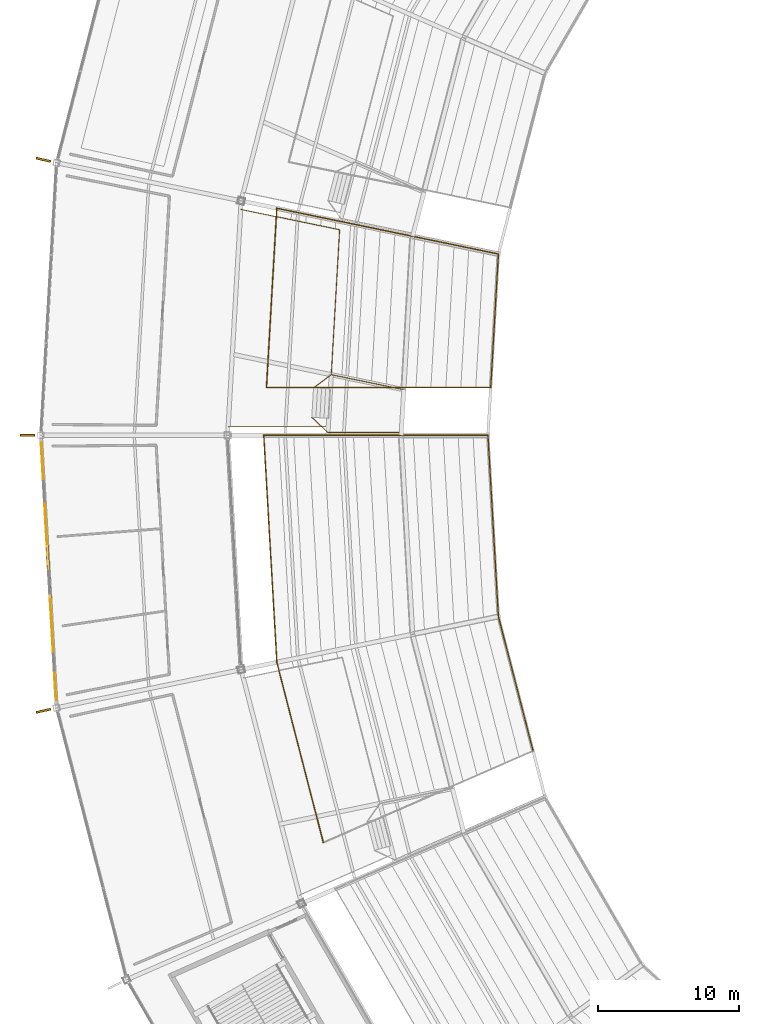
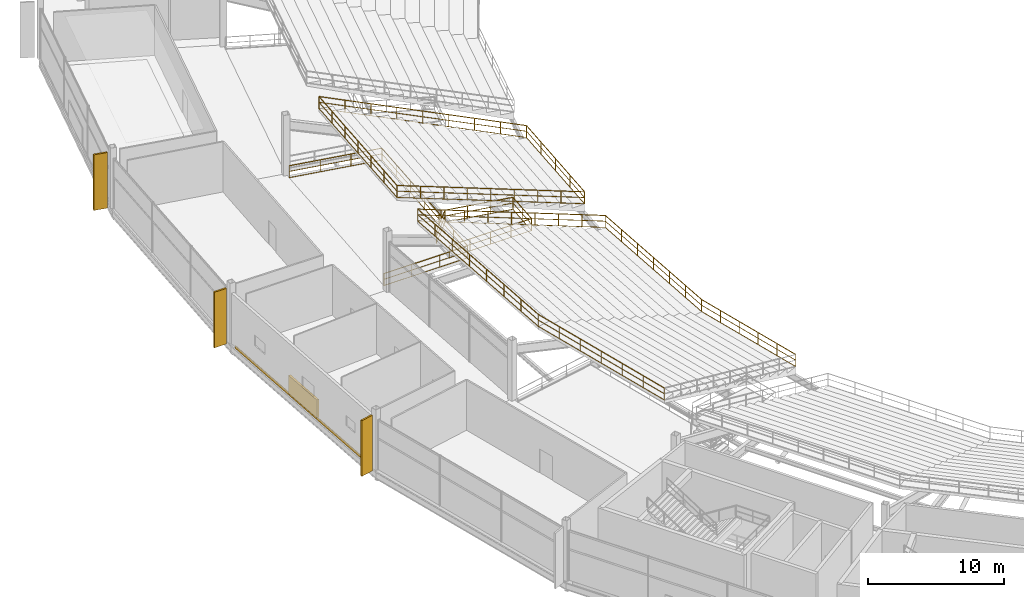
# One storey, part 174 of 186: 11 railings, 4 shading devices, 1 covering.
"""IFC4 building model written with IfcOpenShell, lengths in metres."""

from ifc_helpers import new_model, si_unit, direction, frame, origin, origin_2d, place, context, subcontext, project, spatial, rectangle, extrude, material, layer, layer_set, type_object, element, save


model = new_model("IFC4")

# Units and contexts
model_context = context("Model", 3, precision=1e-05, world=origin(), true_north=direction((0.0, 1.0)))
body_context = subcontext(model_context, "Body", "Model", "MODEL_VIEW")
ifc_project = project(units=[si_unit("LENGTHUNIT", "METRE"), si_unit("AREAUNIT", "SQUARE_METRE"), si_unit("VOLUMEUNIT", "CUBIC_METRE"), si_unit("PLANEANGLEUNIT", "RADIAN"), si_unit("MASSUNIT", "GRAM", prefix="KILO")], contexts=[model_context])

# Site, building, storey
site_placement = place(None, origin())
site = spatial("IfcSite", under=ifc_project, at=site_placement, CompositionType="ELEMENT")
building_placement = place(site_placement, origin())
building = spatial("IfcBuilding", under=site, at=building_placement, Name="Kazemori Nagisa Stadium", CompositionType="ELEMENT")
storey_placement = place(building_placement, frame((0.0, 0.0, 20.39990234375)))
storey = spatial("IfcBuildingStorey", under=building, at=storey_placement, Name="L04", CompositionType="ELEMENT", Elevation=20.39990234375)

# Covering
ifc_material_1 = material(Name="Anodised aluminium 6063-T5", Category="aluminium")
ifc_layer = layer(ifc_material_1, 0.034912109375, Name="Anodised aluminium 6063-T5", Category="aluminium")
ifc_layer_set = layer_set([ifc_layer], Name="Anodised aluminium 6063-T5")
covering_type = type_object("IfcCoveringType", Name="Covering_CLAD", PredefinedType="CLADDING", material=ifc_layer_set)
covering_placement = place(storey_placement, frame((28.5595703125, 92.30126953125, -0.259765625), z_axis=(0.0, 0.0, 1.0), x_axis=(0.057601670941, -0.998339645364, 0.0)))
element("IfcCovering", 1, at=covering_placement, inside=storey, type_object=covering_type, Name="Anodised fascia cladding L04-B15", PredefinedType="CLADDING", context=body_context, shape_type="SweptSolid", body=[
    extrude(rectangle(XDim=18.329833984375, YDim=0.0400390625, at=origin_2d()), origin(), (0.0, 0.0, 1.0), 0.260009765625),
])

# Shading devices
ifc_material_2 = material(Name="Aluminium 6063-T5 anodised", Category="aluminium")
shading_device_type_1 = type_object("IfcShadingDeviceType", Name="Fin_FN03", PredefinedType="USERDEFINED", material=ifc_material_2)
for number, where, z_axis, x_axis, name in (
    (2, (28.188232421875, 121.610107421875, 0.0), (0.0, 0.0, 1.0), (-0.974927912182, 0.222520933954, 0.0), "Aerodynamic wave shading fin L04-14"),
    (3, (27.044921875, 102.0, 0.0), (0.0, 0.0, 1.0), (-1.0, 0.0, 0.0), "Aerodynamic wave shading fin L04-15"),
    (4, (28.188232421875, 82.389892578125, 0.0), (0.0, 0.0, 1.0), (-0.974927912182, -0.222520933954, 0.0), "Aerodynamic wave shading fin L04-16"),
):
    element("IfcShadingDevice", number, at=place(storey_placement, frame(where, z_axis=z_axis, x_axis=x_axis)), inside=storey, type_object=shading_device_type_1, Name=name, ObjectType="FIN", PredefinedType="USERDEFINED", context=body_context, shape_type="SweptSolid", body=[
        extrude(rectangle(XDim=1.050048828125, YDim=0.139892578125, at=origin_2d()), origin(), (0.0, 0.0, 1.0), 5.0),
    ])
shading_device_type_2 = type_object("IfcShadingDeviceType", Name="Louvre_LV02", PredefinedType="JALOUSIE", material=ifc_material_2)
shading_device_placement = place(storey_placement, frame((28.5595703125, 92.30126953125, -0.010009765625), z_axis=(0.0, 0.0, 1.0), x_axis=(0.057601670941, -0.998339645364, 0.0)))
element("IfcShadingDevice", 5, at=shading_device_placement, inside=storey, type_object=shading_device_type_2, Name="Concourse ventilation louvre L04-B15", PredefinedType="JALOUSIE", context=body_context, shape_type="SweptSolid", body=[
    extrude(rectangle(XDim=3.800048828125, YDim=0.179931640625, at=origin_2d()), origin(), (0.0, 0.0, 1.0), 1.60009765625),
])

# Railings
ifc_material_3 = material(Name="Laminated safety glass and stainless steel SUS304", Category="steel")
railing_type_1 = type_object("IfcRailingType", Name="Rail_BAL", PredefinedType="BALUSTRADE", material=ifc_material_3)
railing_1_placement = place(storey_placement, frame((42.22802734375, 118.0830078125, 0.0)))
element("IfcRailing", 6, at=railing_1_placement, inside=storey, type_object=railing_type_1, Name="Upper vomitory lobby balustrade B14", PredefinedType="BALUSTRADE", context=body_context, shape_type="SweptSolid", body=[
    extrude(rectangle(XDim=0.050048828125, YDim=0.050048828125, at=origin_2d()), frame((0.0, 0.0, 1.09521484375), z_axis=(0.979313585997, -0.202348462516, 0.0), x_axis=(0.202348462516, 0.979313585997, 0.0)), (0.0, 0.0, 1.0), 7.189697265625),
    extrude(rectangle(XDim=0.03759765625, YDim=0.03759765625, at=origin_2d()), frame((0.0, 0.0, 0.58251953125), z_axis=(0.979313585997, -0.202348462516, 0.0), x_axis=(0.202348462516, 0.979313585997, 0.0)), (0.0, 0.0, 1.0), 7.189697265625),
    extrude(rectangle(XDim=0.03759765625, YDim=0.03759765625, at=origin_2d()), frame((0.0, 0.0, 0.02490234375), z_axis=(0.979313585997, -0.202348462516, 0.0), x_axis=(0.202348462516, 0.979313585997, 0.0)), (0.0, 0.0, 1.0), 7.189697265625),
    extrude(rectangle(XDim=0.050048828125, YDim=0.050048828125, at=origin_2d()), frame((7.041015625, -1.454833984375, 1.09521484375), z_axis=(-0.057610854061, -0.998339115478, 0.0), x_axis=(0.998339115478, -0.057610854061, 0.0)), (0.0, 0.0, 1.0), 14.052490234375),
    extrude(rectangle(XDim=0.03759765625, YDim=0.03759765625, at=origin_2d()), frame((7.041015625, -1.454833984375, 0.58251953125), z_axis=(-0.057610854061, -0.998339115478, 0.0), x_axis=(0.998339115478, -0.057610854061, 0.0)), (0.0, 0.0, 1.0), 14.052490234375),
    extrude(rectangle(XDim=0.03759765625, YDim=0.03759765625, at=origin_2d()), frame((7.041015625, -1.454833984375, 0.02490234375), z_axis=(-0.057610854061, -0.998339115478, 0.0), x_axis=(0.998339115478, -0.057610854061, 0.0)), (0.0, 0.0, 1.0), 14.052490234375),
    extrude(rectangle(XDim=0.050048828125, YDim=0.050048828125, at=origin_2d()), frame((6.2314453125, -15.48388671875, 1.09521484375), z_axis=(-1.0, 0.0, 0.0), x_axis=(0.0, -1.0, 0.0)), (0.0, 0.0, 1.0), 7.125),
    extrude(rectangle(XDim=0.03759765625, YDim=0.03759765625, at=origin_2d()), frame((6.2314453125, -15.48388671875, 0.58251953125), z_axis=(-1.0, 0.0, 0.0), x_axis=(0.0, -1.0, 0.0)), (0.0, 0.0, 1.0), 7.125),
    extrude(rectangle(XDim=0.03759765625, YDim=0.03759765625, at=origin_2d()), frame((6.2314453125, -15.48388671875, 0.02490234375), z_axis=(-1.0, 0.0, 0.0), x_axis=(0.0, -1.0, 0.0)), (0.0, 0.0, 1.0), 7.125),
    extrude(rectangle(XDim=0.044921875, YDim=0.044921875, at=origin_2d()), origin(), (0.0, 0.0, 1.0), 1.070068359375),
    extrude(rectangle(XDim=0.044921875, YDim=0.044921875, at=origin_2d()), frame((2.346923828125, -0.48486328125, 0.0)), (0.0, 0.0, 1.0), 1.070068359375),
    extrude(rectangle(XDim=0.044921875, YDim=0.044921875, at=origin_2d()), frame((4.694091796875, -0.969970703125, 0.0)), (0.0, 0.0, 1.0), 1.070068359375),
    extrude(rectangle(XDim=0.044921875, YDim=0.044921875, at=origin_2d()), frame((7.041015625, -1.454833984375, 0.0)), (0.0, 0.0, 1.0), 1.070068359375),
    extrude(rectangle(XDim=0.044921875, YDim=0.044921875, at=origin_2d()), frame((6.906005859375, -3.79296875, 0.0)), (0.0, 0.0, 1.0), 1.070068359375),
    extrude(rectangle(XDim=0.044921875, YDim=0.044921875, at=origin_2d()), frame((6.771240234375, -6.131103515625, 0.0)), (0.0, 0.0, 1.0), 1.070068359375),
    extrude(rectangle(XDim=0.044921875, YDim=0.044921875, at=origin_2d()), frame((6.63623046875, -8.46923828125, 0.0)), (0.0, 0.0, 1.0), 1.070068359375),
    extrude(rectangle(XDim=0.044921875, YDim=0.044921875, at=origin_2d()), frame((6.501220703125, -10.8076171875, 0.0)), (0.0, 0.0, 1.0), 1.070068359375),
    extrude(rectangle(XDim=0.044921875, YDim=0.044921875, at=origin_2d()), frame((6.366455078125, -13.145751953125, 0.0)), (0.0, 0.0, 1.0), 1.070068359375),
    extrude(rectangle(XDim=0.044921875, YDim=0.044921875, at=origin_2d()), frame((6.2314453125, -15.48388671875, 0.0)), (0.0, 0.0, 1.0), 1.070068359375),
    extrude(rectangle(XDim=0.044921875, YDim=0.044921875, at=origin_2d()), frame((3.8564453125, -15.48388671875, 0.0)), (0.0, 0.0, 1.0), 1.070068359375),
    extrude(rectangle(XDim=0.044921875, YDim=0.044921875, at=origin_2d()), frame((1.4814453125, -15.48388671875, 0.0)), (0.0, 0.0, 1.0), 1.070068359375),
    extrude(rectangle(XDim=0.044921875, YDim=0.044921875, at=origin_2d()), frame((-0.8935546875, -15.48388671875, 0.0)), (0.0, 0.0, 1.0), 1.070068359375),
])
ifc_material_4 = material(Name="Galvanised powder-coated steel", Category="steel")
railing_type_2 = type_object("IfcRailingType", Name="Rail_GUARD", PredefinedType="GUARDRAIL", material=ifc_material_4)
railing_2_placement = place(storey_placement, frame((47.40771484375, 105.37353515625, 0.0)))
element("IfcRailing", 7, at=railing_2_placement, inside=storey, type_object=railing_type_2, Name="Vomitory upper portal guard VU06", PredefinedType="GUARDRAIL", context=body_context, shape_type="SweptSolid", body=[
    extrude(rectangle(XDim=0.050048828125, YDim=0.050048828125, at=origin_2d()), frame((0.0, 0.0, 1.09521484375), z_axis=(0.701505582617, 0.519703904438, 0.487645126366), x_axis=(-0.595279424775, 0.803518765456, 0.0)), (0.0, 0.0, 1.0), 1.804931640625),
    extrude(rectangle(XDim=0.03759765625, YDim=0.03759765625, at=origin_2d()), frame((0.0, 0.0, 0.58251953125), z_axis=(0.701505582617, 0.519703904438, 0.487645126366), x_axis=(-0.595279424775, 0.803518765456, 0.0)), (0.0, 0.0, 1.0), 1.804931640625),
    extrude(rectangle(XDim=0.03759765625, YDim=0.03759765625, at=origin_2d()), frame((0.0, 0.0, 0.02490234375), z_axis=(0.701505582617, 0.519703904438, 0.487645126366), x_axis=(-0.595279424775, 0.803518765456, 0.0)), (0.0, 0.0, 1.0), 1.804931640625),
    extrude(rectangle(XDim=0.050048828125, YDim=0.050048828125, at=origin_2d()), frame((1.26611328125, 0.93798828125, 1.97509765625), z_axis=(0.979312342256, -0.202354481803, 0.0), x_axis=(0.202354481803, 0.979312342256, 0.0)), (0.0, 0.0, 1.0), 5.2724609375),
    extrude(rectangle(XDim=0.03759765625, YDim=0.03759765625, at=origin_2d()), frame((1.26611328125, 0.93798828125, 1.462646484375), z_axis=(0.979312342256, -0.202354481803, 0.0), x_axis=(0.202354481803, 0.979312342256, 0.0)), (0.0, 0.0, 1.0), 5.2724609375),
    extrude(rectangle(XDim=0.03759765625, YDim=0.03759765625, at=origin_2d()), frame((1.26611328125, 0.93798828125, 0.9052734375), z_axis=(0.979312342256, -0.202354481803, 0.0), x_axis=(0.202354481803, 0.979312342256, 0.0)), (0.0, 0.0, 1.0), 5.2724609375),
    extrude(rectangle(XDim=0.050048828125, YDim=0.050048828125, at=origin_2d()), frame((6.429443359375, -0.12890625, 1.97509765625), z_axis=(-0.05755357596, -0.99834241916, 0.0), x_axis=(0.99834241916, -0.05755357596, 0.0)), (0.0, 0.0, 1.0), 3.050048828125),
    extrude(rectangle(XDim=0.03759765625, YDim=0.03759765625, at=origin_2d()), frame((6.429443359375, -0.12890625, 1.462646484375), z_axis=(-0.05755357596, -0.99834241916, 0.0), x_axis=(0.99834241916, -0.05755357596, 0.0)), (0.0, 0.0, 1.0), 3.050048828125),
    extrude(rectangle(XDim=0.03759765625, YDim=0.03759765625, at=origin_2d()), frame((6.429443359375, -0.12890625, 0.9052734375), z_axis=(-0.05755357596, -0.99834241916, 0.0), x_axis=(0.99834241916, -0.05755357596, 0.0)), (0.0, 0.0, 1.0), 3.050048828125),
    extrude(rectangle(XDim=0.050048828125, YDim=0.050048828125, at=origin_2d()), frame((6.25390625, -3.173828125, 1.97509765625), z_axis=(-1.0, 0.0, 0.0), x_axis=(0.0, -1.0, 0.0)), (0.0, 0.0, 1.0), 5.22509765625),
    extrude(rectangle(XDim=0.03759765625, YDim=0.03759765625, at=origin_2d()), frame((6.25390625, -3.173828125, 1.462646484375), z_axis=(-1.0, 0.0, 0.0), x_axis=(0.0, -1.0, 0.0)), (0.0, 0.0, 1.0), 5.22509765625),
    extrude(rectangle(XDim=0.03759765625, YDim=0.03759765625, at=origin_2d()), frame((6.25390625, -3.173828125, 0.9052734375), z_axis=(-1.0, 0.0, 0.0), x_axis=(0.0, -1.0, 0.0)), (0.0, 0.0, 1.0), 5.22509765625),
    extrude(rectangle(XDim=0.050048828125, YDim=0.050048828125, at=origin_2d()), frame((1.02880859375, -3.173828125, 1.97509765625), z_axis=(-0.637099366978, 0.596925585239, -0.487631256466), x_axis=(-0.683724641843, -0.729740100403, 0.0)), (0.0, 0.0, 1.0), 1.804931640625),
    extrude(rectangle(XDim=0.03759765625, YDim=0.03759765625, at=origin_2d()), frame((1.02880859375, -3.173828125, 1.462646484375), z_axis=(-0.637099366978, 0.596925585239, -0.487631256466), x_axis=(-0.683724641843, -0.729740100403, 0.0)), (0.0, 0.0, 1.0), 1.804931640625),
    extrude(rectangle(XDim=0.03759765625, YDim=0.03759765625, at=origin_2d()), frame((1.02880859375, -3.173828125, 0.9052734375), z_axis=(-0.637099366978, 0.596925585239, -0.487631256466), x_axis=(-0.683724641843, -0.729740100403, 0.0)), (0.0, 0.0, 1.0), 1.804931640625),
    extrude(rectangle(XDim=0.044921875, YDim=0.044921875, at=origin_2d()), origin(), (0.0, 0.0, 1.0), 1.070068359375),
    extrude(rectangle(XDim=0.044921875, YDim=0.044921875, at=origin_2d()), frame((1.26611328125, 0.93798828125, 0.880126953125)), (0.0, 0.0, 1.0), 1.070068359375),
    extrude(rectangle(XDim=0.044921875, YDim=0.044921875, at=origin_2d()), frame((2.9873046875, 0.582275390625, 0.880126953125)), (0.0, 0.0, 1.0), 1.070068359375),
    extrude(rectangle(XDim=0.044921875, YDim=0.044921875, at=origin_2d()), frame((4.708251953125, 0.226806640625, 0.880126953125)), (0.0, 0.0, 1.0), 1.070068359375),
    extrude(rectangle(XDim=0.044921875, YDim=0.044921875, at=origin_2d()), frame((6.429443359375, -0.12890625, 0.880126953125)), (0.0, 0.0, 1.0), 1.070068359375),
    extrude(rectangle(XDim=0.044921875, YDim=0.044921875, at=origin_2d()), frame((6.341796875, -1.6513671875, 0.880126953125)), (0.0, 0.0, 1.0), 1.070068359375),
    extrude(rectangle(XDim=0.044921875, YDim=0.044921875, at=origin_2d()), frame((6.25390625, -3.173828125, 0.880126953125)), (0.0, 0.0, 1.0), 1.070068359375),
    extrude(rectangle(XDim=0.044921875, YDim=0.044921875, at=origin_2d()), frame((4.51220703125, -3.173828125, 0.880126953125)), (0.0, 0.0, 1.0), 1.070068359375),
    extrude(rectangle(XDim=0.044921875, YDim=0.044921875, at=origin_2d()), frame((2.7705078125, -3.173828125, 0.880126953125)), (0.0, 0.0, 1.0), 1.070068359375),
    extrude(rectangle(XDim=0.044921875, YDim=0.044921875, at=origin_2d()), frame((1.02880859375, -3.173828125, 0.880126953125)), (0.0, 0.0, 1.0), 1.070068359375),
    extrude(rectangle(XDim=0.044921875, YDim=0.044921875, at=origin_2d()), frame((-0.12109375, -2.096435546875, 0.0)), (0.0, 0.0, 1.0), 1.070068359375),
])
railing_3_placement = place(storey_placement, frame((60.5693359375, 114.8994140625, -0.8798828125)))
element("IfcRailing", 8, at=railing_3_placement, inside=storey, type_object=railing_type_2, Name="Upper tier front crowd barrier B14", PredefinedType="GUARDRAIL", context=body_context, shape_type="SweptSolid", body=[
    extrude(rectangle(XDim=0.050048828125, YDim=0.050048828125, at=origin_2d()), frame((0.0, 0.0, 1.09521484375), z_axis=(-0.057618652076, -0.99833866545, 0.0), x_axis=(0.99833866545, -0.057618652076, 0.0)), (0.0, 0.0, 1.0), 9.52099609375),
    extrude(rectangle(XDim=0.03759765625, YDim=0.03759765625, at=origin_2d()), frame((0.0, 0.0, 0.58251953125), z_axis=(-0.057618652076, -0.99833866545, 0.0), x_axis=(0.99833866545, -0.057618652076, 0.0)), (0.0, 0.0, 1.0), 9.52099609375),
    extrude(rectangle(XDim=0.03759765625, YDim=0.03759765625, at=origin_2d()), frame((0.0, 0.0, 0.02490234375), z_axis=(-0.057618652076, -0.99833866545, 0.0), x_axis=(0.99833866545, -0.057618652076, 0.0)), (0.0, 0.0, 1.0), 9.52099609375),
    extrude(rectangle(XDim=0.044921875, YDim=0.044921875, at=origin_2d()), origin(), (0.0, 0.0, 1.0), 1.070068359375),
    extrude(rectangle(XDim=0.044921875, YDim=0.044921875, at=origin_2d()), frame((-0.13720703125, -2.376220703125, 0.0)), (0.0, 0.0, 1.0), 1.070068359375),
    extrude(rectangle(XDim=0.044921875, YDim=0.044921875, at=origin_2d()), frame((-0.2744140625, -4.75244140625, 0.0)), (0.0, 0.0, 1.0), 1.070068359375),
    extrude(rectangle(XDim=0.044921875, YDim=0.044921875, at=origin_2d()), frame((-0.411376953125, -7.12890625, 0.0)), (0.0, 0.0, 1.0), 1.070068359375),
    extrude(rectangle(XDim=0.044921875, YDim=0.044921875, at=origin_2d()), frame((-0.548583984375, -9.505126953125, 0.0)), (0.0, 0.0, 1.0), 1.070068359375),
])
railing_4_placement = place(storey_placement, frame((44.79736328125, 118.158203125, 5.280029296875)))
element("IfcRailing", 9, at=railing_4_placement, inside=storey, type_object=railing_type_2, Name="Upper tier rear guard B14", PredefinedType="GUARDRAIL", context=body_context, shape_type="SweptSolid", body=[
    extrude(rectangle(XDim=0.050048828125, YDim=0.050048828125, at=origin_2d()), frame((0.0, 0.0, 1.09521484375), z_axis=(-0.05761154132, -0.998339075819, 0.0), x_axis=(0.998339075819, -0.05761154132, 0.0)), (0.0, 0.0, 1.0), 12.78515625),
    extrude(rectangle(XDim=0.03759765625, YDim=0.03759765625, at=origin_2d()), frame((0.0, 0.0, 0.58251953125), z_axis=(-0.05761154132, -0.998339075819, 0.0), x_axis=(0.998339075819, -0.05761154132, 0.0)), (0.0, 0.0, 1.0), 12.78515625),
    extrude(rectangle(XDim=0.03759765625, YDim=0.03759765625, at=origin_2d()), frame((0.0, 0.0, 0.02490234375), z_axis=(-0.05761154132, -0.998339075819, 0.0), x_axis=(0.998339075819, -0.05761154132, 0.0)), (0.0, 0.0, 1.0), 12.78515625),
    extrude(rectangle(XDim=0.044921875, YDim=0.044921875, at=origin_2d()), origin(), (0.0, 0.0, 1.0), 1.070068359375),
    extrude(rectangle(XDim=0.044921875, YDim=0.044921875, at=origin_2d()), frame((-0.122802734375, -2.12744140625, 0.0)), (0.0, 0.0, 1.0), 1.070068359375),
    extrude(rectangle(XDim=0.044921875, YDim=0.044921875, at=origin_2d()), frame((-0.24560546875, -4.254638671875, 0.0)), (0.0, 0.0, 1.0), 1.070068359375),
    extrude(rectangle(XDim=0.044921875, YDim=0.044921875, at=origin_2d()), frame((-0.3681640625, -6.3818359375, 0.0)), (0.0, 0.0, 1.0), 1.070068359375),
    extrude(rectangle(XDim=0.044921875, YDim=0.044921875, at=origin_2d()), frame((-0.490966796875, -8.50927734375, 0.0)), (0.0, 0.0, 1.0), 1.070068359375),
    extrude(rectangle(XDim=0.044921875, YDim=0.044921875, at=origin_2d()), frame((-0.61376953125, -10.63671875, 0.0)), (0.0, 0.0, 1.0), 1.070068359375),
    extrude(rectangle(XDim=0.044921875, YDim=0.044921875, at=origin_2d()), frame((-0.736572265625, -12.763916015625, 0.0)), (0.0, 0.0, 1.0), 1.070068359375),
])
railing_5_placement = place(storey_placement, frame((60.020751953125, 105.394287109375, -0.8798828125)))
element("IfcRailing", 10, at=railing_5_placement, inside=storey, type_object=railing_type_2, Name="Upper tier radial step guard B14R", PredefinedType="GUARDRAIL", context=body_context, shape_type="SweptSolid", body=[
    extrude(rectangle(XDim=0.050048828125, YDim=0.050048828125, at=origin_2d()), frame((0.0, 0.0, 1.09521484375), z_axis=(-0.932924559812, 0.0, 0.360071889626), x_axis=(0.0, -1.0, 0.0)), (0.0, 0.0, 1.0), 17.107421875),
    extrude(rectangle(XDim=0.03759765625, YDim=0.03759765625, at=origin_2d()), frame((0.0, 0.0, 0.58251953125), z_axis=(-0.932924559812, 0.0, 0.360071889626), x_axis=(0.0, -1.0, 0.0)), (0.0, 0.0, 1.0), 17.107421875),
    extrude(rectangle(XDim=0.03759765625, YDim=0.03759765625, at=origin_2d()), frame((0.0, 0.0, 0.02490234375), z_axis=(-0.932924559812, 0.0, 0.360071889626), x_axis=(0.0, -1.0, 0.0)), (0.0, 0.0, 1.0), 17.107421875),
    extrude(rectangle(XDim=0.044921875, YDim=0.044921875, at=origin_2d()), origin(), (0.0, 0.0, 1.0), 1.070068359375),
    extrude(rectangle(XDim=0.044921875, YDim=0.044921875, at=origin_2d()), frame((-1.9951171875, 0.0, 0.77001953125)), (0.0, 0.0, 1.0), 1.070068359375),
    extrude(rectangle(XDim=0.044921875, YDim=0.044921875, at=origin_2d()), frame((-3.989990234375, 0.0, 1.5400390625)), (0.0, 0.0, 1.0), 1.070068359375),
    extrude(rectangle(XDim=0.044921875, YDim=0.044921875, at=origin_2d()), frame((-5.98486328125, 0.0, 2.31005859375)), (0.0, 0.0, 1.0), 1.070068359375),
    extrude(rectangle(XDim=0.044921875, YDim=0.044921875, at=origin_2d()), frame((-7.97998046875, 0.0, 3.080078125)), (0.0, 0.0, 1.0), 1.070068359375),
    extrude(rectangle(XDim=0.044921875, YDim=0.044921875, at=origin_2d()), frame((-9.97509765625, 0.0, 3.849853515625)), (0.0, 0.0, 1.0), 1.070068359375),
    extrude(rectangle(XDim=0.044921875, YDim=0.044921875, at=origin_2d()), frame((-11.969970703125, 0.0, 4.619873046875)), (0.0, 0.0, 1.0), 1.070068359375),
    extrude(rectangle(XDim=0.044921875, YDim=0.044921875, at=origin_2d()), frame((-13.96484375, 0.0, 5.389892578125)), (0.0, 0.0, 1.0), 1.070068359375),
    extrude(rectangle(XDim=0.044921875, YDim=0.044921875, at=origin_2d()), frame((-15.9599609375, 0.0, 6.159912109375)), (0.0, 0.0, 1.0), 1.070068359375),
])
railing_6_placement = place(storey_placement, frame((60.5693359375, 114.8994140625, -0.8798828125)))
element("IfcRailing", 11, at=railing_6_placement, inside=storey, type_object=railing_type_2, Name="Upper tier radial step guard B14L", PredefinedType="GUARDRAIL", context=body_context, shape_type="SweptSolid", body=[
    extrude(rectangle(XDim=0.050048828125, YDim=0.050048828125, at=origin_2d()), frame((0.0, 0.0, 1.09521484375), z_axis=(-0.914691054761, 0.18899254201, 0.35724234548), x_axis=(-0.20234493476, -0.979314314905, 0.0)), (0.0, 0.0, 1.0), 17.242919921875),
    extrude(rectangle(XDim=0.03759765625, YDim=0.03759765625, at=origin_2d()), frame((0.0, 0.0, 0.58251953125), z_axis=(-0.914691054761, 0.18899254201, 0.35724234548), x_axis=(-0.20234493476, -0.979314314905, 0.0)), (0.0, 0.0, 1.0), 17.242919921875),
    extrude(rectangle(XDim=0.03759765625, YDim=0.03759765625, at=origin_2d()), frame((0.0, 0.0, 0.02490234375), z_axis=(-0.914691054761, 0.18899254201, 0.35724234548), x_axis=(-0.20234493476, -0.979314314905, 0.0)), (0.0, 0.0, 1.0), 17.242919921875),
    extrude(rectangle(XDim=0.044921875, YDim=0.044921875, at=origin_2d()), origin(), (0.0, 0.0, 1.0), 1.070068359375),
    extrude(rectangle(XDim=0.044921875, YDim=0.044921875, at=origin_2d()), frame((-1.971435546875, 0.4072265625, 0.77001953125)), (0.0, 0.0, 1.0), 1.070068359375),
    extrude(rectangle(XDim=0.044921875, YDim=0.044921875, at=origin_2d()), frame((-3.94287109375, 0.814697265625, 1.5400390625)), (0.0, 0.0, 1.0), 1.070068359375),
    extrude(rectangle(XDim=0.044921875, YDim=0.044921875, at=origin_2d()), frame((-5.91455078125, 1.22216796875, 2.31005859375)), (0.0, 0.0, 1.0), 1.070068359375),
    extrude(rectangle(XDim=0.044921875, YDim=0.044921875, at=origin_2d()), frame((-7.885986328125, 1.62939453125, 3.080078125)), (0.0, 0.0, 1.0), 1.070068359375),
    extrude(rectangle(XDim=0.044921875, YDim=0.044921875, at=origin_2d()), frame((-9.857421875, 2.03662109375, 3.849853515625)), (0.0, 0.0, 1.0), 1.070068359375),
    extrude(rectangle(XDim=0.044921875, YDim=0.044921875, at=origin_2d()), frame((-11.8291015625, 2.444091796875, 4.619873046875)), (0.0, 0.0, 1.0), 1.070068359375),
    extrude(rectangle(XDim=0.044921875, YDim=0.044921875, at=origin_2d()), frame((-13.800537109375, 2.8515625, 5.389892578125)), (0.0, 0.0, 1.0), 1.070068359375),
    extrude(rectangle(XDim=0.044921875, YDim=0.044921875, at=origin_2d()), frame((-15.77197265625, 3.2587890625, 6.159912109375)), (0.0, 0.0, 1.0), 1.070068359375),
])
railing_7_placement = place(storey_placement, frame((59.824951171875, 102.0, -0.8798828125)))
element("IfcRailing", 12, at=railing_7_placement, inside=storey, type_object=railing_type_2, Name="Upper tier front crowd barrier B15", PredefinedType="GUARDRAIL", context=body_context, shape_type="SweptSolid", body=[
    extrude(rectangle(XDim=0.050048828125, YDim=0.050048828125, at=origin_2d()), frame((0.0, 0.0, 1.09521484375), z_axis=(0.057611021531, -0.998339105814, 0.0), x_axis=(0.998339105814, 0.057611021531, 0.0)), (0.0, 0.0, 1.0), 12.9208984375),
    extrude(rectangle(XDim=0.03759765625, YDim=0.03759765625, at=origin_2d()), frame((0.0, 0.0, 0.58251953125), z_axis=(0.057611021531, -0.998339105814, 0.0), x_axis=(0.998339105814, 0.057611021531, 0.0)), (0.0, 0.0, 1.0), 12.9208984375),
    extrude(rectangle(XDim=0.03759765625, YDim=0.03759765625, at=origin_2d()), frame((0.0, 0.0, 0.02490234375), z_axis=(0.057611021531, -0.998339105814, 0.0), x_axis=(0.998339105814, 0.057611021531, 0.0)), (0.0, 0.0, 1.0), 12.9208984375),
    extrude(rectangle(XDim=0.044921875, YDim=0.044921875, at=origin_2d()), origin(), (0.0, 0.0, 1.0), 1.070068359375),
    extrude(rectangle(XDim=0.044921875, YDim=0.044921875, at=origin_2d()), frame((0.1240234375, -2.14990234375, 0.0)), (0.0, 0.0, 1.0), 1.070068359375),
    extrude(rectangle(XDim=0.044921875, YDim=0.044921875, at=origin_2d()), frame((0.248046875, -4.2998046875, 0.0)), (0.0, 0.0, 1.0), 1.070068359375),
    extrude(rectangle(XDim=0.044921875, YDim=0.044921875, at=origin_2d()), frame((0.3720703125, -6.44970703125, 0.0)), (0.0, 0.0, 1.0), 1.070068359375),
    extrude(rectangle(XDim=0.044921875, YDim=0.044921875, at=origin_2d()), frame((0.496337890625, -8.599609375, 0.0)), (0.0, 0.0, 1.0), 1.070068359375),
    extrude(rectangle(XDim=0.044921875, YDim=0.044921875, at=origin_2d()), frame((0.620361328125, -10.74951171875, 0.0)), (0.0, 0.0, 1.0), 1.070068359375),
    extrude(rectangle(XDim=0.044921875, YDim=0.044921875, at=origin_2d()), frame((0.744384765625, -12.8994140625, 0.0)), (0.0, 0.0, 1.0), 1.070068359375),
])
railing_8_placement = place(storey_placement, frame((43.864990234375, 102.0, 5.280029296875)))
element("IfcRailing", 13, at=railing_8_placement, inside=storey, type_object=railing_type_2, Name="Upper tier rear guard B15", PredefinedType="GUARDRAIL", context=body_context, shape_type="SweptSolid", body=[
    extrude(rectangle(XDim=0.050048828125, YDim=0.050048828125, at=origin_2d()), frame((0.0, 0.0, 1.09521484375), z_axis=(0.057606943428, -0.998339341141, 0.0), x_axis=(0.998339341141, 0.057606943428, 0.0)), (0.0, 0.0, 1.0), 16.18505859375),
    extrude(rectangle(XDim=0.03759765625, YDim=0.03759765625, at=origin_2d()), frame((0.0, 0.0, 0.58251953125), z_axis=(0.057606943428, -0.998339341141, 0.0), x_axis=(0.998339341141, 0.057606943428, 0.0)), (0.0, 0.0, 1.0), 16.18505859375),
    extrude(rectangle(XDim=0.03759765625, YDim=0.03759765625, at=origin_2d()), frame((0.0, 0.0, 0.02490234375), z_axis=(0.057606943428, -0.998339341141, 0.0), x_axis=(0.998339341141, 0.057606943428, 0.0)), (0.0, 0.0, 1.0), 16.18505859375),
    extrude(rectangle(XDim=0.044921875, YDim=0.044921875, at=origin_2d()), origin(), (0.0, 0.0, 1.0), 1.070068359375),
    extrude(rectangle(XDim=0.044921875, YDim=0.044921875, at=origin_2d()), frame((0.13330078125, -2.308349609375, 0.0)), (0.0, 0.0, 1.0), 1.070068359375),
    extrude(rectangle(XDim=0.044921875, YDim=0.044921875, at=origin_2d()), frame((0.266357421875, -4.61669921875, 0.0)), (0.0, 0.0, 1.0), 1.070068359375),
    extrude(rectangle(XDim=0.044921875, YDim=0.044921875, at=origin_2d()), frame((0.399658203125, -6.925048828125, 0.0)), (0.0, 0.0, 1.0), 1.070068359375),
    extrude(rectangle(XDim=0.044921875, YDim=0.044921875, at=origin_2d()), frame((0.53271484375, -9.233154296875, 0.0)), (0.0, 0.0, 1.0), 1.070068359375),
    extrude(rectangle(XDim=0.044921875, YDim=0.044921875, at=origin_2d()), frame((0.666015625, -11.54150390625, 0.0)), (0.0, 0.0, 1.0), 1.070068359375),
    extrude(rectangle(XDim=0.044921875, YDim=0.044921875, at=origin_2d()), frame((0.799072265625, -13.849853515625, 0.0)), (0.0, 0.0, 1.0), 1.070068359375),
    extrude(rectangle(XDim=0.044921875, YDim=0.044921875, at=origin_2d()), frame((0.932373046875, -16.158203125, 0.0)), (0.0, 0.0, 1.0), 1.070068359375),
])
railing_9_placement = place(storey_placement, frame((59.824951171875, 102.0, -0.8798828125)))
element("IfcRailing", 14, at=railing_9_placement, inside=storey, type_object=railing_type_2, Name="Upper tier radial step guard B15L", PredefinedType="GUARDRAIL", context=body_context, shape_type="SweptSolid", body=[
    extrude(rectangle(XDim=0.050048828125, YDim=0.050048828125, at=origin_2d()), frame((0.0, 0.0, 1.09521484375), z_axis=(-0.932924559812, 0.0, 0.360071889626), x_axis=(0.0, -1.0, 0.0)), (0.0, 0.0, 1.0), 17.107421875),
    extrude(rectangle(XDim=0.03759765625, YDim=0.03759765625, at=origin_2d()), frame((0.0, 0.0, 0.58251953125), z_axis=(-0.932924559812, 0.0, 0.360071889626), x_axis=(0.0, -1.0, 0.0)), (0.0, 0.0, 1.0), 17.107421875),
    extrude(rectangle(XDim=0.03759765625, YDim=0.03759765625, at=origin_2d()), frame((0.0, 0.0, 0.02490234375), z_axis=(-0.932924559812, 0.0, 0.360071889626), x_axis=(0.0, -1.0, 0.0)), (0.0, 0.0, 1.0), 17.107421875),
    extrude(rectangle(XDim=0.044921875, YDim=0.044921875, at=origin_2d()), origin(), (0.0, 0.0, 1.0), 1.070068359375),
    extrude(rectangle(XDim=0.044921875, YDim=0.044921875, at=origin_2d()), frame((-1.9951171875, 0.0, 0.77001953125)), (0.0, 0.0, 1.0), 1.070068359375),
    extrude(rectangle(XDim=0.044921875, YDim=0.044921875, at=origin_2d()), frame((-3.989990234375, 0.0, 1.5400390625)), (0.0, 0.0, 1.0), 1.070068359375),
    extrude(rectangle(XDim=0.044921875, YDim=0.044921875, at=origin_2d()), frame((-5.98486328125, 0.0, 2.31005859375)), (0.0, 0.0, 1.0), 1.070068359375),
    extrude(rectangle(XDim=0.044921875, YDim=0.044921875, at=origin_2d()), frame((-7.97998046875, 0.0, 3.080078125)), (0.0, 0.0, 1.0), 1.070068359375),
    extrude(rectangle(XDim=0.044921875, YDim=0.044921875, at=origin_2d()), frame((-9.97509765625, 0.0, 3.849853515625)), (0.0, 0.0, 1.0), 1.070068359375),
    extrude(rectangle(XDim=0.044921875, YDim=0.044921875, at=origin_2d()), frame((-11.969970703125, 0.0, 4.619873046875)), (0.0, 0.0, 1.0), 1.070068359375),
    extrude(rectangle(XDim=0.044921875, YDim=0.044921875, at=origin_2d()), frame((-13.96484375, 0.0, 5.389892578125)), (0.0, 0.0, 1.0), 1.070068359375),
    extrude(rectangle(XDim=0.044921875, YDim=0.044921875, at=origin_2d()), frame((-15.9599609375, 0.0, 6.159912109375)), (0.0, 0.0, 1.0), 1.070068359375),
])
railing_10_placement = place(storey_placement, frame((60.5693359375, 89.1005859375, -0.8798828125)))
element("IfcRailing", 15, at=railing_10_placement, inside=storey, type_object=railing_type_2, Name="Upper tier front crowd barrier B16", PredefinedType="GUARDRAIL", context=body_context, shape_type="SweptSolid", body=[
    extrude(rectangle(XDim=0.050048828125, YDim=0.050048828125, at=origin_2d()), frame((0.0, 0.0, 1.09521484375), z_axis=(0.249968346977, -0.968254008775, 0.0), x_axis=(0.968254008775, 0.249968346977, 0.0)), (0.0, 0.0, 1.0), 9.890869140625),
    extrude(rectangle(XDim=0.03759765625, YDim=0.03759765625, at=origin_2d()), frame((0.0, 0.0, 0.58251953125), z_axis=(0.249968346977, -0.968254008775, 0.0), x_axis=(0.968254008775, 0.249968346977, 0.0)), (0.0, 0.0, 1.0), 9.890869140625),
    extrude(rectangle(XDim=0.03759765625, YDim=0.03759765625, at=origin_2d()), frame((0.0, 0.0, 0.02490234375), z_axis=(0.249968346977, -0.968254008775, 0.0), x_axis=(0.968254008775, 0.249968346977, 0.0)), (0.0, 0.0, 1.0), 9.890869140625),
    extrude(rectangle(XDim=0.044921875, YDim=0.044921875, at=origin_2d()), origin(), (0.0, 0.0, 1.0), 1.070068359375),
    extrude(rectangle(XDim=0.044921875, YDim=0.044921875, at=origin_2d()), frame((0.494384765625, -1.915283203125, 0.0)), (0.0, 0.0, 1.0), 1.070068359375),
    extrude(rectangle(XDim=0.044921875, YDim=0.044921875, at=origin_2d()), frame((0.989013671875, -3.830810546875, 0.0)), (0.0, 0.0, 1.0), 1.070068359375),
    extrude(rectangle(XDim=0.044921875, YDim=0.044921875, at=origin_2d()), frame((1.4833984375, -5.74609375, 0.0)), (0.0, 0.0, 1.0), 1.070068359375),
    extrude(rectangle(XDim=0.044921875, YDim=0.044921875, at=origin_2d()), frame((1.97802734375, -7.66162109375, 0.0)), (0.0, 0.0, 1.0), 1.070068359375),
    extrude(rectangle(XDim=0.044921875, YDim=0.044921875, at=origin_2d()), frame((2.472412109375, -9.576904296875, 0.0)), (0.0, 0.0, 1.0), 1.070068359375),
])
railing_11_placement = place(storey_placement, frame((44.79736328125, 85.841796875, 5.280029296875)))
element("IfcRailing", 16, at=railing_11_placement, inside=storey, type_object=railing_type_2, Name="Upper tier rear guard B16", PredefinedType="GUARDRAIL", context=body_context, shape_type="SweptSolid", body=[
    extrude(rectangle(XDim=0.050048828125, YDim=0.050048828125, at=origin_2d()), frame((0.0, 0.0, 1.09521484375), z_axis=(0.249951584763, -0.968258336021, 0.0), x_axis=(0.968258336021, 0.249951584763, 0.0)), (0.0, 0.0, 1.0), 13.248779296875),
    extrude(rectangle(XDim=0.03759765625, YDim=0.03759765625, at=origin_2d()), frame((0.0, 0.0, 0.58251953125), z_axis=(0.249951584763, -0.968258336021, 0.0), x_axis=(0.968258336021, 0.249951584763, 0.0)), (0.0, 0.0, 1.0), 13.248779296875),
    extrude(rectangle(XDim=0.03759765625, YDim=0.03759765625, at=origin_2d()), frame((0.0, 0.0, 0.02490234375), z_axis=(0.249951584763, -0.968258336021, 0.0), x_axis=(0.968258336021, 0.249951584763, 0.0)), (0.0, 0.0, 1.0), 13.248779296875),
    extrude(rectangle(XDim=0.044921875, YDim=0.044921875, at=origin_2d()), origin(), (0.0, 0.0, 1.0), 1.070068359375),
    extrude(rectangle(XDim=0.044921875, YDim=0.044921875, at=origin_2d()), frame((0.552001953125, -2.137939453125, 0.0)), (0.0, 0.0, 1.0), 1.070068359375),
    extrude(rectangle(XDim=0.044921875, YDim=0.044921875, at=origin_2d()), frame((1.103759765625, -4.276123046875, 0.0)), (0.0, 0.0, 1.0), 1.070068359375),
    extrude(rectangle(XDim=0.044921875, YDim=0.044921875, at=origin_2d()), frame((1.65576171875, -6.4140625, 0.0)), (0.0, 0.0, 1.0), 1.070068359375),
    extrude(rectangle(XDim=0.044921875, YDim=0.044921875, at=origin_2d()), frame((2.207763671875, -8.552001953125, 0.0)), (0.0, 0.0, 1.0), 1.070068359375),
    extrude(rectangle(XDim=0.044921875, YDim=0.044921875, at=origin_2d()), frame((2.759521484375, -10.690185546875, 0.0)), (0.0, 0.0, 1.0), 1.070068359375),
    extrude(rectangle(XDim=0.044921875, YDim=0.044921875, at=origin_2d()), frame((3.3115234375, -12.828125, 0.0)), (0.0, 0.0, 1.0), 1.070068359375),
])

save(model, "model.ifc")
